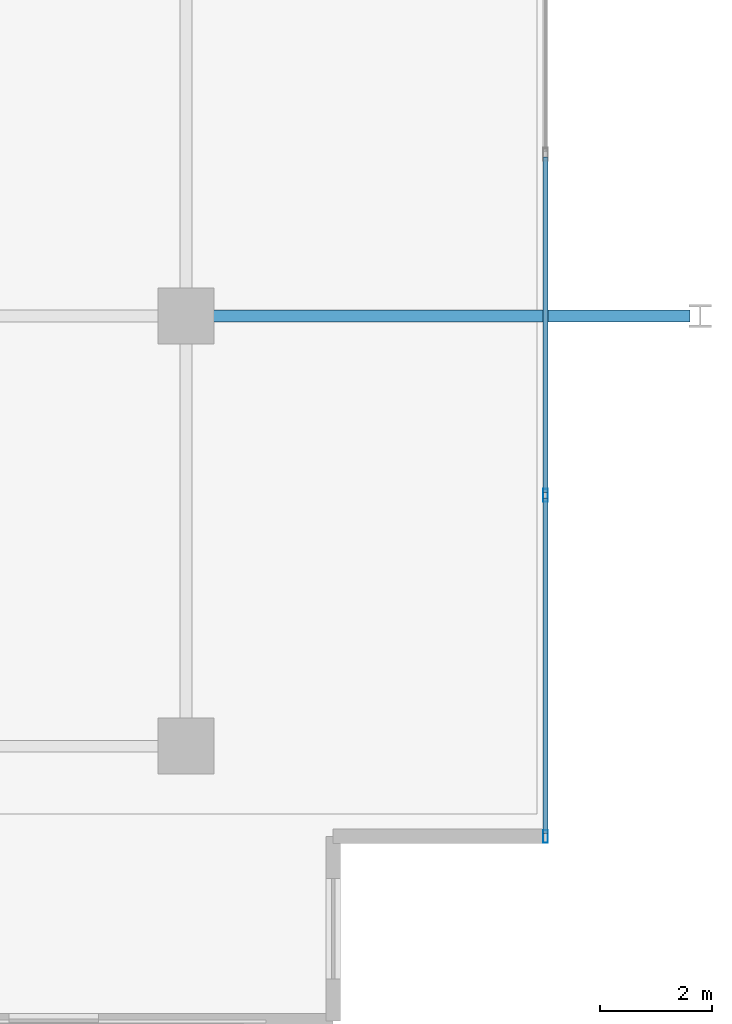
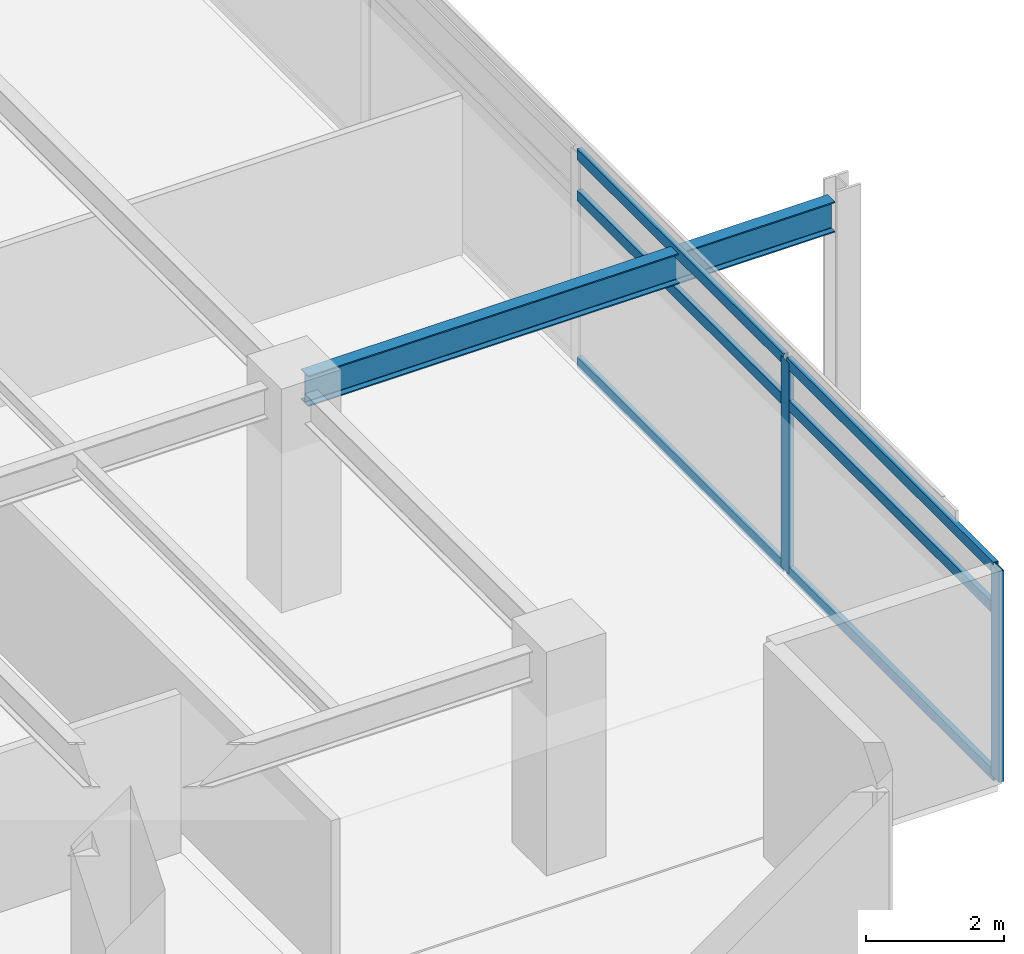
# One storey, part 6 of 20: 8 members, 1 beam, 1 element without a shape of its own.
"""IFC4 building model written with IfcOpenShell, lengths in metres."""

from ifc_helpers import new_model, si_unit, direction, frame, origin, origin_2d, place, context, subcontext, project, spatial, hollow_rectangle, i_section, extrude, material, material_profile, profile_set, type_object, element, aggregate, save


model = new_model("IFC4")

# Units and contexts
model_context = context("Model", 3, precision=1e-05, world=origin(), true_north=direction((0.0, 1.0)))
body_context = subcontext(model_context, "Body", "Model", "MODEL_VIEW")
ifc_project = project(units=[si_unit("LENGTHUNIT", "METRE"), si_unit("AREAUNIT", "SQUARE_METRE"), si_unit("VOLUMEUNIT", "CUBIC_METRE"), si_unit("PLANEANGLEUNIT", "RADIAN"), si_unit("MASSUNIT", "GRAM", prefix="KILO")], contexts=[model_context])

# Site, building, storey
site_placement = place(None, origin())
site = spatial("IfcSite", under=ifc_project, at=site_placement, CompositionType="ELEMENT")
building_placement = place(site_placement, origin())
building = spatial("IfcBuilding", under=site, at=building_placement, Name="Kovane Verandah Tower", CompositionType="ELEMENT")
storey_placement = place(building_placement, frame((0.0, 0.0, 318.800048828125)))
storey = spatial("IfcBuildingStorey", under=building, at=storey_placement, Name="L74", CompositionType="ELEMENT", Elevation=318.800048828125)

# Beam
ifc_material_1 = material(Name="Steel S355", Category="steel")
ifc_material_profile_1 = material_profile(ifc_material_1, i_section(OverallWidth=0.2119140625, OverallDepth=0.54443359375, WebThickness=0.0126953125, FlangeThickness=0.021240234375, FilletRadius=0.0126953125, at=origin_2d()), Name="UB533x210x122")
ifc_profile_set_1 = profile_set([ifc_material_profile_1], Name="Steel S355")
beam_type = type_object("IfcBeamType", Name="BM-UB533x122", PredefinedType="BEAM", material=ifc_profile_set_1)
beam_placement = place(storey_placement, frame((58.580078125, 18.5, 3.48779296875), z_axis=(1.0, 0.0, 0.0), x_axis=(0.0, 1.0, 0.0)))
element("IfcBeam", 1, at=beam_placement, inside=storey, type_object=beam_type, Name="L74 Primary Tower Girder G-VE1", PredefinedType="BEAM", context=body_context, shape_type="SweptSolid", body=[
    extrude(i_section(OverallWidth=0.2119140625, OverallDepth=0.54443359375, WebThickness=0.0126953125, FlangeThickness=0.021240234375, FilletRadius=0.0126953125, at=origin_2d()), origin(), (0.0, 0.0, 1.0), 8.83984375),
])

# Curtain wall, members
ifc_material_2 = material(Name="Champagne Anodised Aluminium Frame with Low-E Clear Laminated Glass", Category="aluminium")
curtain_wall_type = type_object("IfcCurtainWallType", Name="CW-SYS-05-HIGH", PredefinedType="NOTDEFINED", material=ifc_material_2)
curtain_wall_placement = place(storey_placement, origin())
curtain_wall = element("IfcCurtainWall", 2, at=curtain_wall_placement, inside=storey, type_object=curtain_wall_type, Name="L74 E Unitised Curtain Wall", PredefinedType="NOTDEFINED")
ifc_material_3 = material(Name="Champagne Anodised Aluminium 6063-T6", Category="aluminium")
ifc_material_profile_2 = material_profile(ifc_material_3, hollow_rectangle(XDim=0.0849609375, YDim=0.22998046875, WallThickness=0.00390625, at=origin_2d()), Name="AL85x230x4")
ifc_profile_set_2 = profile_set([ifc_material_profile_2], Name="Champagne Anodised Aluminium 6063-T6")
member_type_1 = type_object("IfcMemberType", Name="CW-MUL-85x230", PredefinedType="MULLION", material=ifc_profile_set_2)
member_1_placement = place(storey_placement, frame((64.83154296875, 9.184326171875, 0.02001953125), z_axis=(0.0, 0.0, 1.0), x_axis=(1.0, 0.0, 0.0)))
member_1 = element("IfcMember", 3, at=member_1_placement, type_object=member_type_1, Name="L74 E Unitised Curtain Wall Mullion 1", PredefinedType="MULLION", context=body_context, shape_type="SweptSolid", body=[
    extrude(hollow_rectangle(XDim=0.0849609375, YDim=0.22998046875, WallThickness=0.00390625, at=origin_2d()), origin(), (0.0, 0.0, 1.0), 3.744873046875),
])
member_2_placement = place(storey_placement, frame((64.83154296875, 15.28955078125, 0.02001953125), z_axis=(0.0, 0.0, 1.0), x_axis=(1.0, 0.0, 0.0)))
member_2 = element("IfcMember", 4, at=member_2_placement, type_object=member_type_1, Name="L74 E Unitised Curtain Wall Mullion 2", PredefinedType="MULLION", context=body_context, shape_type="SweptSolid", body=[
    extrude(hollow_rectangle(XDim=0.0849609375, YDim=0.22998046875, WallThickness=0.00390625, at=origin_2d()), origin(), (0.0, 0.0, 1.0), 3.744873046875),
])
ifc_material_profile_3 = material_profile(ifc_material_3, hollow_rectangle(XDim=0.0849609375, YDim=0.18994140625, WallThickness=0.00390625, at=origin_2d()), Name="AL85x190x4")
ifc_profile_set_3 = profile_set([ifc_material_profile_3], Name="Champagne Anodised Aluminium 6063-T6")
member_type_2 = type_object("IfcMemberType", Name="CW-TRN-85x190", PredefinedType="USERDEFINED", material=ifc_profile_set_3)
member_3_placement = place(storey_placement, frame((64.83154296875, 9.234375, 0.050048828125), z_axis=(0.0, 1.0, 0.0), x_axis=(-1.0, 0.0, 0.0)))
member_3 = element("IfcMember", 5, at=member_3_placement, type_object=member_type_2, Name="L74 E Unitised Curtain Wall Transom TB Bay 1", ObjectType="TRANSOM", PredefinedType="USERDEFINED", context=body_context, shape_type="SweptSolid", body=[
    extrude(hollow_rectangle(XDim=0.0849609375, YDim=0.18994140625, WallThickness=0.00390625, at=origin_2d()), origin(), (0.0, 0.0, 1.0), 6.005126953125),
])
member_4_placement = place(storey_placement, frame((64.83154296875, 9.234375, 3.0048828125), z_axis=(0.0, 1.0, 0.0), x_axis=(-1.0, 0.0, 0.0)))
member_4 = element("IfcMember", 6, at=member_4_placement, type_object=member_type_2, Name="L74 E Unitised Curtain Wall Transom TM Bay 1", ObjectType="TRANSOM", PredefinedType="USERDEFINED", context=body_context, shape_type="SweptSolid", body=[
    extrude(hollow_rectangle(XDim=0.0849609375, YDim=0.18994140625, WallThickness=0.00390625, at=origin_2d()), origin(), (0.0, 0.0, 1.0), 6.005126953125),
])
member_5_placement = place(storey_placement, frame((64.83154296875, 9.234375, 3.73486328125), z_axis=(0.0, 1.0, 0.0), x_axis=(-1.0, 0.0, 0.0)))
member_5 = element("IfcMember", 7, at=member_5_placement, type_object=member_type_2, Name="L74 E Unitised Curtain Wall Transom TT Bay 1", ObjectType="TRANSOM", PredefinedType="USERDEFINED", context=body_context, shape_type="SweptSolid", body=[
    extrude(hollow_rectangle(XDim=0.0849609375, YDim=0.18994140625, WallThickness=0.00390625, at=origin_2d()), origin(), (0.0, 0.0, 1.0), 6.005126953125),
])
member_6_placement = place(storey_placement, frame((64.83154296875, 15.339599609375, 0.050048828125), z_axis=(0.0, 1.0, 0.0), x_axis=(-1.0, 0.0, 0.0)))
member_6 = element("IfcMember", 8, at=member_6_placement, type_object=member_type_2, Name="L74 E Unitised Curtain Wall Transom TB Bay 2", ObjectType="TRANSOM", PredefinedType="USERDEFINED", context=body_context, shape_type="SweptSolid", body=[
    extrude(hollow_rectangle(XDim=0.0849609375, YDim=0.18994140625, WallThickness=0.00390625, at=origin_2d()), origin(), (0.0, 0.0, 1.0), 6.005126953125),
])
member_7_placement = place(storey_placement, frame((64.83154296875, 15.339599609375, 3.0048828125), z_axis=(0.0, 1.0, 0.0), x_axis=(-1.0, 0.0, 0.0)))
member_7 = element("IfcMember", 9, at=member_7_placement, type_object=member_type_2, Name="L74 E Unitised Curtain Wall Transom TM Bay 2", ObjectType="TRANSOM", PredefinedType="USERDEFINED", context=body_context, shape_type="SweptSolid", body=[
    extrude(hollow_rectangle(XDim=0.0849609375, YDim=0.18994140625, WallThickness=0.00390625, at=origin_2d()), origin(), (0.0, 0.0, 1.0), 6.005126953125),
])
member_8_placement = place(storey_placement, frame((64.83154296875, 15.339599609375, 3.73486328125), z_axis=(0.0, 1.0, 0.0), x_axis=(-1.0, 0.0, 0.0)))
member_8 = element("IfcMember", 10, at=member_8_placement, type_object=member_type_2, Name="L74 E Unitised Curtain Wall Transom TT Bay 2", ObjectType="TRANSOM", PredefinedType="USERDEFINED", context=body_context, shape_type="SweptSolid", body=[
    extrude(hollow_rectangle(XDim=0.0849609375, YDim=0.18994140625, WallThickness=0.00390625, at=origin_2d()), origin(), (0.0, 0.0, 1.0), 6.005126953125),
])
aggregate(curtain_wall, [member_1, member_2, member_3, member_4, member_5, member_6, member_7, member_8])

save(model, "model.ifc")
